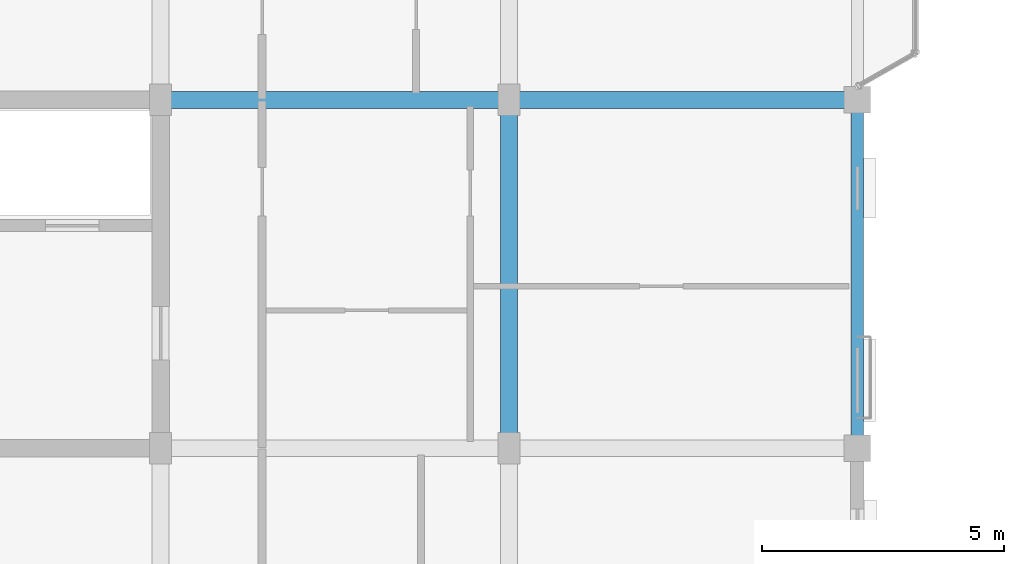
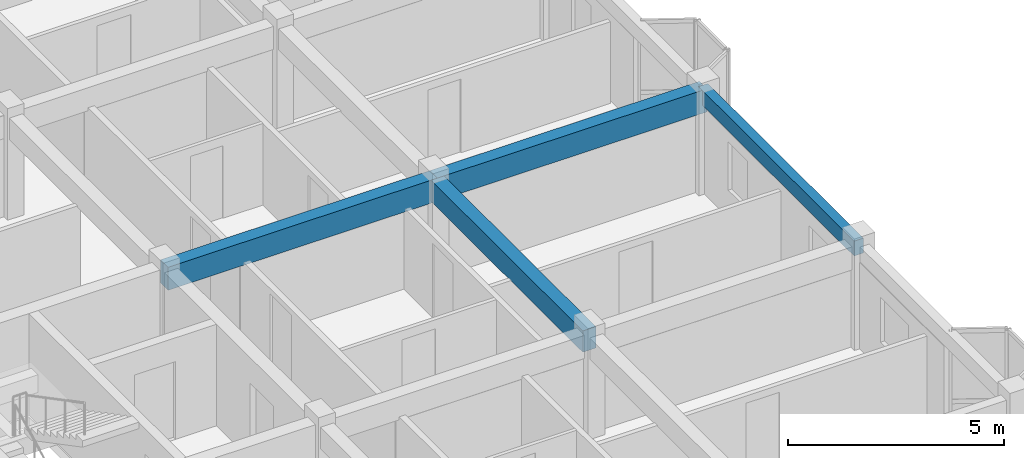
# One storey, part 7 of 79: 4 beams.
"""IFC4 building model written with IfcOpenShell, lengths in metres."""

import ifcopenshell
import ifcopenshell.guid

model = None  # the IFC model being written
_history = None  # IfcOwnerHistory: only IFC2X3 demands one
_inside = {}  # id of a spatial element -> (the spatial element, [elements in it])
_under = {}  # id of a project, library or spatial element -> (it, [spatial elements below it])
_declared = {}  # id of a project -> (the project, [libraries it declares])
_typed = {}  # id of a type object -> (the type object, [elements of that type])
_made_of = {}  # id of a material, layer set ... -> (it, [elements and type objects made of it])


def new_model(schema):
    """Start an empty IFC model of exactly this schema.

    Asked for "IFC4X3", IfcOpenShell would pick the latest addendum, in which some entities
    have other attributes; the version numbers below select the first issue.
    IFC2X3 requires an IfcOwnerHistory on every rooted entity: one is made here for all.
    """
    global model, _history
    if schema == "IFC4X3":
        model = ifcopenshell.file(schema_version=(4, 3, 0, 0))
    else:
        model = ifcopenshell.file(schema=schema)
    _inside.clear()
    _under.clear()
    _declared.clear()
    _typed.clear()
    _made_of.clear()
    _history = None
    if model.schema == "IFC2X3":
        org = make("IfcOrganization", Name="unknown")
        user = make(
            "IfcPersonAndOrganization",
            ThePerson=make("IfcPerson", FamilyName="unknown"),
            TheOrganization=org,
        )
        app = make(
            "IfcApplication",
            ApplicationDeveloper=org,
            Version="unknown",
            ApplicationFullName="unknown",
            ApplicationIdentifier="unknown",
        )
        _history = make(
            "IfcOwnerHistory",
            OwningUser=user,
            OwningApplication=app,
            ChangeAction="ADDED",
            CreationDate=0,
        )
    return model


def make(cls, **values):
    """One entity of the class cls with the attributes given. An attribute that is None is left unset."""
    return model.create_entity(
        cls, **{name: value for name, value in values.items() if value is not None}
    )


def rooted(cls, **values):
    """An entity with a GlobalId (a new one), such as an element, a storey or a relation."""
    return make(cls, GlobalId=ifcopenshell.guid.new(), OwnerHistory=_history, **values)


def si_unit(unit_type, name, prefix=None):
    """IfcSIUnit, for example si_unit("LENGTHUNIT", "METRE", prefix="MILLI")."""
    return make("IfcSIUnit", UnitType=unit_type, Prefix=prefix, Name=name)


def assignment(units):
    """IfcUnitAssignment: the units of a project."""
    return None if units is None else make("IfcUnitAssignment", Units=units)


def point(xyz):
    """IfcCartesianPoint."""
    return None if xyz is None else make("IfcCartesianPoint", Coordinates=xyz)


def direction(xyz):
    """IfcDirection."""
    return None if xyz is None else make("IfcDirection", DirectionRatios=xyz)


def frame(location, z_axis=None, x_axis=None):
    """IfcAxis2Placement3D, a coordinate frame: its origin and axes. An axis left out is left unset."""
    return make(
        "IfcAxis2Placement3D",
        Location=point(location),
        Axis=direction(z_axis),
        RefDirection=direction(x_axis),
    )


def frame_2d(location, x_axis=None):
    """IfcAxis2Placement2D, a coordinate frame in the plane: its origin and x axis."""
    return make(
        "IfcAxis2Placement2D", Location=point(location), RefDirection=direction(x_axis)
    )


def origin():
    """The frame at (0, 0, 0) with its axes left unset."""
    return frame((0.0, 0.0, 0.0))


def origin_2d():
    """The frame at (0, 0) in the plane with its x axis left unset."""
    return frame_2d((0.0, 0.0))


def place(relative_to, where):
    """IfcLocalPlacement: puts the frame where relative to a parent placement (None: the world)."""
    return make(
        "IfcLocalPlacement", PlacementRelTo=relative_to, RelativePlacement=where
    )


def context(
    kind, dimensions, precision=None, world=None, true_north=None, identifier=None
):
    """IfcGeometricRepresentationContext, for example the 3D "Model" context."""
    return make(
        "IfcGeometricRepresentationContext",
        ContextIdentifier=identifier,
        ContextType=kind,
        CoordinateSpaceDimension=dimensions,
        Precision=precision,
        WorldCoordinateSystem=world,
        TrueNorth=true_north,
    )


def subcontext(parent, identifier, kind, view, scale=None):
    """IfcGeometricRepresentationSubContext, for example "Body" below "Model"."""
    return make(
        "IfcGeometricRepresentationSubContext",
        ContextIdentifier=identifier,
        ContextType=kind,
        ParentContext=parent,
        TargetScale=scale,
        TargetView=view,
    )


def project(units=None, contexts=None):
    """IfcProject with its units and contexts."""
    return rooted(
        "IfcProject",
        Name="project",
        RepresentationContexts=contexts,
        UnitsInContext=assignment(units),
    )


def spatial(cls, under=None, at=None, **own):
    """A site, building, storey or space (cls), placed at a placement, below another one or the project."""
    s = rooted(cls, ObjectPlacement=at, **own)
    if under is not None:
        _under.setdefault(under.id(), (under, []))[1].append(s)
    return s


def profile(cls, at=None, kind="AREA", **sizes):
    """A parametric profile (cls). Its sizes go by their IFC names, for example OverallWidth=200.0."""
    return make(cls, ProfileType=kind, Position=at, **sizes)


def rectangle(**sizes):
    """IfcRectangleProfileDef."""
    return profile("IfcRectangleProfileDef", **sizes)


def extrude(swept, where, along, depth):
    """IfcExtrudedAreaSolid: the profile swept, set in the frame where, extruded along a direction by depth."""
    return make(
        "IfcExtrudedAreaSolid",
        SweptArea=swept,
        Position=where,
        ExtrudedDirection=direction(along),
        Depth=depth,
    )


def shape(context_of_items, identifier, shape_type, items):
    """IfcShapeRepresentation: the items that make up one representation, for example the "Body"."""
    return make(
        "IfcShapeRepresentation",
        ContextOfItems=context_of_items,
        RepresentationIdentifier=identifier,
        RepresentationType=shape_type,
        Items=items,
    )


def material(Name=None, Category=None):
    """IfcMaterial."""
    return make("IfcMaterial", Name=Name, Category=Category)


def material_profile(
    of_material, cross_section, Name=None, Category=None, Priority=None
):
    """IfcMaterialProfile: a cross section and its material."""
    return make(
        "IfcMaterialProfile",
        Name=Name,
        Material=of_material,
        Profile=cross_section,
        Priority=Priority,
        Category=Category,
    )


def profile_set(profiles, Name=None, composite=None):
    """IfcMaterialProfileSet."""
    return make(
        "IfcMaterialProfileSet",
        Name=Name,
        MaterialProfiles=profiles,
        CompositeProfile=composite,
    )


def made_of(thing, what):
    """Note that an element or type object is made of a material, layer set ...; save() writes the relation."""
    if what is not None:
        _made_of.setdefault(what.id(), (what, []))[1].append(thing)
    return thing


def type_object(cls, material=None, **own):
    """A type object (cls), such as IfcWallType, which elements share."""
    return made_of(rooted(cls, **own), material)


def element(
    cls,
    number,
    at=None,
    inside=None,
    cuts=None,
    type_object=None,
    material=None,
    context=None,
    identifier="Body",
    shape_type=None,
    held_by="IfcProductDefinitionShape",
    body=None,
    shapes=None,
    **own,
):
    """One element of the class cls, such as IfcWall. Its Tag is "e" and its number.

    at: its placement. inside: the storey or other place that contains it. cuts: it is an
    opening in that element (IfcRelVoidsElement). A single representation is given by context,
    identifier, shape_type and body (its items); several are given by shapes. held_by: the class
    of the entity that holds the representations. save() writes the other relations.
    """
    e = rooted(cls, Tag="e%d" % number, ObjectPlacement=at, **own)
    if body is not None:
        shapes = [shape(context, identifier, shape_type, body)]
    if shapes is not None:
        e.Representation = make(held_by, Representations=shapes)
    if inside is not None:
        _inside.setdefault(inside.id(), (inside, []))[1].append(e)
    if cuts is not None:
        rooted(
            "IfcRelVoidsElement", RelatingBuildingElement=cuts, RelatedOpeningElement=e
        )
    if type_object is not None:
        _typed.setdefault(type_object.id(), (type_object, []))[1].append(e)
    return made_of(e, material)


def aggregate(whole, parts):
    """IfcRelAggregates: a whole, such as a stair, and the parts it consists of."""
    return rooted("IfcRelAggregates", RelatingObject=whole, RelatedObjects=parts)


def save(model, path):
    """Write the relations noted so far, then the file.

    IfcRelAggregates (storeys below a building ...), IfcRelContainedInSpatialStructure (elements
    in a storey), IfcRelDefinesByType, IfcRelAssociatesMaterial and IfcRelDeclares: one each for
    every whole, place, type object, material and project.
    """
    for whole, parts in _under.values():
        aggregate(whole, parts)
    for where, things in _inside.values():
        rooted(
            "IfcRelContainedInSpatialStructure",
            RelatedElements=things,
            RelatingStructure=where,
        )
    for kind, things in _typed.values():
        rooted("IfcRelDefinesByType", RelatedObjects=things, RelatingType=kind)
    for what, things in _made_of.values():
        rooted("IfcRelAssociatesMaterial", RelatedObjects=things, RelatingMaterial=what)
    for by, libraries in _declared.values():
        rooted("IfcRelDeclares", RelatingContext=by, RelatedDefinitions=libraries)
    model.write(path)


model = new_model("IFC4")

# Units and contexts
model_context = context("Model", 3, precision=1e-05, world=origin(), true_north=direction((0.0, 1.0)))
body_context = subcontext(model_context, "Body", "Model", "MODEL_VIEW")
ifc_project = project(units=[si_unit("LENGTHUNIT", "METRE"), si_unit("AREAUNIT", "SQUARE_METRE"), si_unit("VOLUMEUNIT", "CUBIC_METRE"), si_unit("PLANEANGLEUNIT", "RADIAN"), si_unit("MASSUNIT", "GRAM", prefix="KILO"), si_unit("THERMODYNAMICTEMPERATUREUNIT", "KELVIN"), si_unit("POWERUNIT", "WATT")], contexts=[model_context])

# Site, building, storey
site_placement = place(None, origin())
site = spatial("IfcSite", under=ifc_project, at=site_placement, CompositionType="ELEMENT")
building_placement = place(site_placement, origin())
building = spatial("IfcBuilding", under=site, at=building_placement, Name="Tavuni Mirador Residences", CompositionType="ELEMENT")
storey_placement = place(building_placement, frame((0.0, 0.0, 13.949951171875)))
storey = spatial("IfcBuildingStorey", under=building, at=storey_placement, Name="L04", CompositionType="ELEMENT", Elevation=13.949951171875)

# Beams
ifc_material = material(Name="Precast concrete C40/50", Category="concrete")
ifc_material_profile_1 = material_profile(ifc_material, rectangle(XDim=0.35009765625, YDim=0.60009765625, at=origin_2d()), Name="PC 350x600", Category="concrete")
ifc_profile_set_1 = profile_set([ifc_material_profile_1], Name="Precast concrete C40/50")
beam_type_1 = type_object("IfcBeamType", Name="BT-B600", PredefinedType="BEAM", material=ifc_profile_set_1)
beam_1_placement = place(storey_placement, frame((25.199951171875, 14.39990234375, 2.570068359375), z_axis=(0.0, 1.0, 0.0), x_axis=(-1.0, 0.0, 0.0)))
element("IfcBeam", 1, at=beam_1_placement, inside=storey, type_object=beam_type_1, Name="BMY-BLK-A-L04-03-01", PredefinedType="BEAM", context=body_context, shape_type="SweptSolid", body=[
    extrude(rectangle(XDim=0.35009765625, YDim=0.60009765625, at=origin_2d()), origin(), (0.0, 0.0, 1.0), 7.2001953125),
])
ifc_material_profile_2 = material_profile(ifc_material, rectangle(XDim=0.35009765625, YDim=0.64990234375, at=origin_2d()), Name="PC 350x650", Category="concrete")
ifc_profile_set_2 = profile_set([ifc_material_profile_2], Name="Precast concrete C40/50")
beam_type_2 = type_object("IfcBeamType", Name="BT-B650", PredefinedType="BEAM", material=ifc_profile_set_2)
for number, where, z_axis, x_axis, name in (
    (2, (18.0, 21.60009765625, 2.545166015625), (1.0, 0.0, 0.0), (0.0, 1.0, 0.0), "BMX-BLK-A-L04-02-02"),
    (3, (25.199951171875, 21.60009765625, 2.545166015625), (1.0, 0.0, 0.0), (0.0, 1.0, 0.0), "BMX-BLK-A-L04-03-02"),
):
    element("IfcBeam", number, at=place(storey_placement, frame(where, z_axis=z_axis, x_axis=x_axis)), inside=storey, type_object=beam_type_2, Name=name, PredefinedType="BEAM", context=body_context, shape_type="SweptSolid", body=[
        extrude(rectangle(XDim=0.35009765625, YDim=0.64990234375, at=origin_2d()), origin(), (0.0, 0.0, 1.0), 7.199951171875),
    ])
ifc_material_profile_3 = material_profile(ifc_material, rectangle(XDim=0.25, YDim=0.419921875, at=origin_2d()), Name="PC 250x420", Category="concrete")
ifc_profile_set_3 = profile_set([ifc_material_profile_3], Name="Precast concrete C40/50")
beam_type_3 = type_object("IfcBeamType", Name="BT-SP420", PredefinedType="SPANDREL", material=ifc_profile_set_3)
beam_2_placement = place(storey_placement, frame((32.39990234375, 14.39990234375, 2.66015625), z_axis=(0.0, 1.0, 0.0), x_axis=(-1.0, 0.0, 0.0)))
element("IfcBeam", 4, at=beam_2_placement, inside=storey, type_object=beam_type_3, Name="BMY-BLK-A-L04-04-01", PredefinedType="SPANDREL", context=body_context, shape_type="SweptSolid", body=[
    extrude(rectangle(XDim=0.25, YDim=0.419921875, at=origin_2d()), origin(), (0.0, 0.0, 1.0), 7.2001953125),
])

save(model, "model.ifc")
